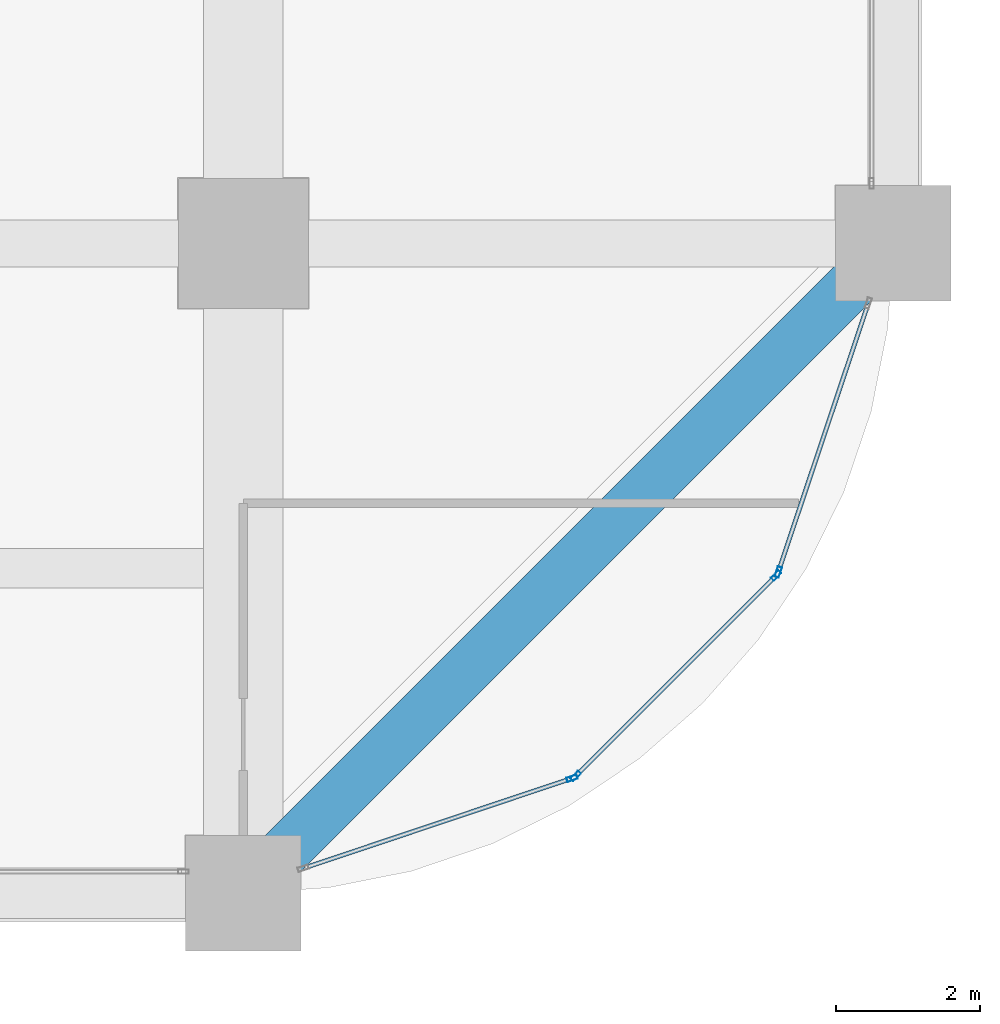
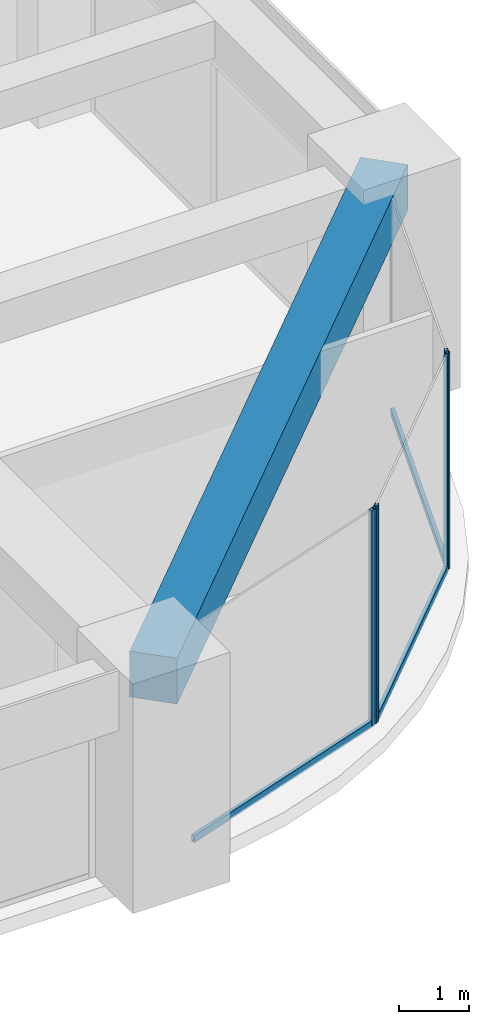
# One storey, part 17 of 39: 7 members, 1 beam, 3 elements without a shape of their own.
"""IFC4 building model written with IfcOpenShell, lengths in metres."""

from ifc_helpers import new_model, si_unit, direction, frame, origin, origin_2d, place, context, subcontext, project, spatial, rectangle, hollow_rectangle, extrude, material, material_profile, profile_set, type_object, element, aggregate, save


model = new_model("IFC4")

# Units and contexts
model_context = context("Model", 3, precision=1e-05, world=origin(), true_north=direction((0.0, 1.0)))
body_context = subcontext(model_context, "Body", "Model", "MODEL_VIEW")
ifc_project = project(units=[si_unit("LENGTHUNIT", "METRE"), si_unit("AREAUNIT", "SQUARE_METRE"), si_unit("VOLUMEUNIT", "CUBIC_METRE"), si_unit("PLANEANGLEUNIT", "RADIAN"), si_unit("MASSUNIT", "GRAM", prefix="KILO")], contexts=[model_context])

# Site, building, storey
site_placement = place(None, origin())
site = spatial("IfcSite", under=ifc_project, at=site_placement, CompositionType="ELEMENT")
building_placement = place(site_placement, origin())
building = spatial("IfcBuilding", under=site, at=building_placement, Name="Zorevar Civic Tower", CompositionType="ELEMENT")
storey_placement = place(building_placement, frame((0.0, 0.0, 125.0)))
storey = spatial("IfcBuildingStorey", under=building, at=storey_placement, Name="L30", CompositionType="ELEMENT", Elevation=125.0)

# Curtain wall, member
ifc_material_1 = material(Name="Dark grey solar-control glass in black aluminium frame", Category="aluminium")
curtain_wall_type = type_object("IfcCurtainWallType", Name="Curtain wall CW3 mid zone", PredefinedType="NOTDEFINED", material=ifc_material_1)
curtain_wall_1_placement = place(storey_placement, origin())
curtain_wall_1 = element("IfcCurtainWall", 1, at=curtain_wall_1_placement, inside=storey, type_object=curtain_wall_type, Name="CW3 L30", PredefinedType="NOTDEFINED")
ifc_material_2 = material(Name="Aluminium, black anodised", Category="aluminium")
ifc_material_profile_1 = material_profile(ifc_material_2, hollow_rectangle(XDim=0.06005859375, YDim=0.14990234375, WallThickness=0.00390625, at=origin_2d()), Name="AL 150x60x4")
ifc_profile_set_1 = profile_set([ifc_material_profile_1], Name="Aluminium, black anodised")
member_type_1 = type_object("IfcMemberType", Name="CW3 mullion AL 150x60x4", PredefinedType="MULLION", material=ifc_profile_set_1)
member_1_placement = place(storey_placement, frame((58.55078125, 1.59326171875, 0.0), z_axis=(0.0, 0.0, 1.0), x_axis=(-0.317592669603, 0.948227238701, 0.0)))
member_1 = element("IfcMember", 2, at=member_1_placement, type_object=member_type_1, Name="CW3 mullion 2", PredefinedType="MULLION", context=body_context, shape_type="SweptSolid", body=[
    extrude(hollow_rectangle(XDim=0.06005859375, YDim=0.14990234375, WallThickness=0.00390625, at=origin_2d()), origin(), (0.0, 0.0, 1.0), 3.75),
])

# Curtain wall, members
curtain_wall_2_placement = place(storey_placement, origin())
curtain_wall_2 = element("IfcCurtainWall", 3, at=curtain_wall_2_placement, inside=storey, type_object=curtain_wall_type, Name="CW3 L30", PredefinedType="NOTDEFINED")
member_2_placement = place(storey_placement, frame((58.600341796875, 1.6240234375, 0.0), z_axis=(0.0, 0.0, 1.0), x_axis=(-0.707106781187, 0.707106781187, 0.0)))
member_2 = element("IfcMember", 4, at=member_2_placement, type_object=member_type_1, Name="CW3 mullion 1", PredefinedType="MULLION", context=body_context, shape_type="SweptSolid", body=[
    extrude(hollow_rectangle(XDim=0.06005859375, YDim=0.14990234375, WallThickness=0.00390625, at=origin_2d()), origin(), (0.0, 0.0, 1.0), 3.75),
])
member_3_placement = place(storey_placement, frame((61.3759765625, 4.399658203125, 0.0), z_axis=(0.0, 0.0, 1.0), x_axis=(-0.707106781187, 0.707106781187, 0.0)))
member_3 = element("IfcMember", 5, at=member_3_placement, type_object=member_type_1, Name="CW3 mullion 2", PredefinedType="MULLION", context=body_context, shape_type="SweptSolid", body=[
    extrude(hollow_rectangle(XDim=0.06005859375, YDim=0.14990234375, WallThickness=0.00390625, at=origin_2d()), origin(), (0.0, 0.0, 1.0), 3.75),
])

# Curtain wall, member
curtain_wall_3_placement = place(storey_placement, origin())
curtain_wall_3 = element("IfcCurtainWall", 6, at=curtain_wall_3_placement, inside=storey, type_object=curtain_wall_type, Name="CW3 L30", PredefinedType="NOTDEFINED")
member_4_placement = place(storey_placement, frame((61.40673828125, 4.44921875, 0.0), z_axis=(0.0, 0.0, 1.0), x_axis=(-0.948227238701, 0.317592669603, 0.0)))
member_4 = element("IfcMember", 7, at=member_4_placement, type_object=member_type_1, Name="CW3 mullion 1", PredefinedType="MULLION", context=body_context, shape_type="SweptSolid", body=[
    extrude(hollow_rectangle(XDim=0.06005859375, YDim=0.14990234375, WallThickness=0.00390625, at=origin_2d()), origin(), (0.0, 0.0, 1.0), 3.75),
])

# Member
ifc_material_3 = material(Name="Aluminium, black anodised", Category="aluminium")
ifc_material_profile_2 = material_profile(ifc_material_3, hollow_rectangle(XDim=0.06005859375, YDim=0.1201171875, WallThickness=0.0029296875, at=origin_2d()), Name="AL 120x60x3")
ifc_profile_set_2 = profile_set([ifc_material_profile_2], Name="Aluminium, black anodised")
member_type_2 = type_object("IfcMemberType", Name="CW3 transom AL 120x60x3", PredefinedType="USERDEFINED", material=ifc_profile_set_2)
member_5_placement = place(storey_placement, frame((54.85693359375, 0.35595703125, 0.030029296875), z_axis=(0.94821488093, 0.317629563458, 0.0), x_axis=(-0.317629563458, 0.94821488093, 0.0)))
member_5 = element("IfcMember", 8, at=member_5_placement, type_object=member_type_2, Name="CW3 sill transom", ObjectType="TRANSOM", PredefinedType="USERDEFINED", context=body_context, shape_type="SweptSolid", body=[
    extrude(hollow_rectangle(XDim=0.06005859375, YDim=0.1201171875, WallThickness=0.0029296875, at=origin_2d()), origin(), (0.0, 0.0, 1.0), 3.865478515625),
])

aggregate(curtain_wall_1, [member_1, member_5])

member_6_placement = place(storey_placement, frame((58.62158203125, 1.64501953125, 0.030029296875), z_axis=(0.707106781187, 0.707106781187, 0.0), x_axis=(-0.707106781187, 0.707106781187, 0.0)))
member_6 = element("IfcMember", 9, at=member_6_placement, type_object=member_type_2, Name="CW3 sill transom", ObjectType="TRANSOM", PredefinedType="USERDEFINED", context=body_context, shape_type="SweptSolid", body=[
    extrude(hollow_rectangle(XDim=0.06005859375, YDim=0.1201171875, WallThickness=0.0029296875, at=origin_2d()), origin(), (0.0, 0.0, 1.0), 3.86572265625),
])

aggregate(curtain_wall_2, [member_2, member_3, member_6])

member_7_placement = place(storey_placement, frame((61.416259765625, 4.477783203125, 0.030029296875), z_axis=(0.317629563458, 0.94821488093, 0.0), x_axis=(-0.94821488093, 0.317629563458, 0.0)))
member_7 = element("IfcMember", 10, at=member_7_placement, type_object=member_type_2, Name="CW3 sill transom", ObjectType="TRANSOM", PredefinedType="USERDEFINED", context=body_context, shape_type="SweptSolid", body=[
    extrude(hollow_rectangle(XDim=0.06005859375, YDim=0.1201171875, WallThickness=0.0029296875, at=origin_2d()), origin(), (0.0, 0.0, 1.0), 3.865478515625),
])

aggregate(curtain_wall_3, [member_4, member_7])

# Beam
ifc_material_4 = material(Name="Concrete C50/60", Category="concrete")
ifc_material_profile_3 = material_profile(ifc_material_4, rectangle(XDim=0.699951171875, YDim=0.800048828125, at=origin_2d()), Name="RC 700x800")
ifc_profile_set_3 = profile_set([ifc_material_profile_3], Name="Concrete C50/60")
beam_type = type_object("IfcBeamType", Name="Edge beam RC 700x800", PredefinedType="SPANDREL", material=ifc_profile_set_3)
beam_placement = place(storey_placement, frame((54.0, 0.0, 3.35009765625), z_axis=(0.707106781187, 0.707106781187, 0.0), x_axis=(-0.707106781187, 0.707106781187, 0.0)))
element("IfcBeam", 11, at=beam_placement, inside=storey, type_object=beam_type, Name="Corner edge beam L31", PredefinedType="SPANDREL", context=body_context, shape_type="SweptSolid", body=[
    extrude(rectangle(XDim=0.699951171875, YDim=0.800048828125, at=origin_2d()), origin(), (0.0, 0.0, 1.0), 12.72802734375),
])

save(model, "model.ifc")
